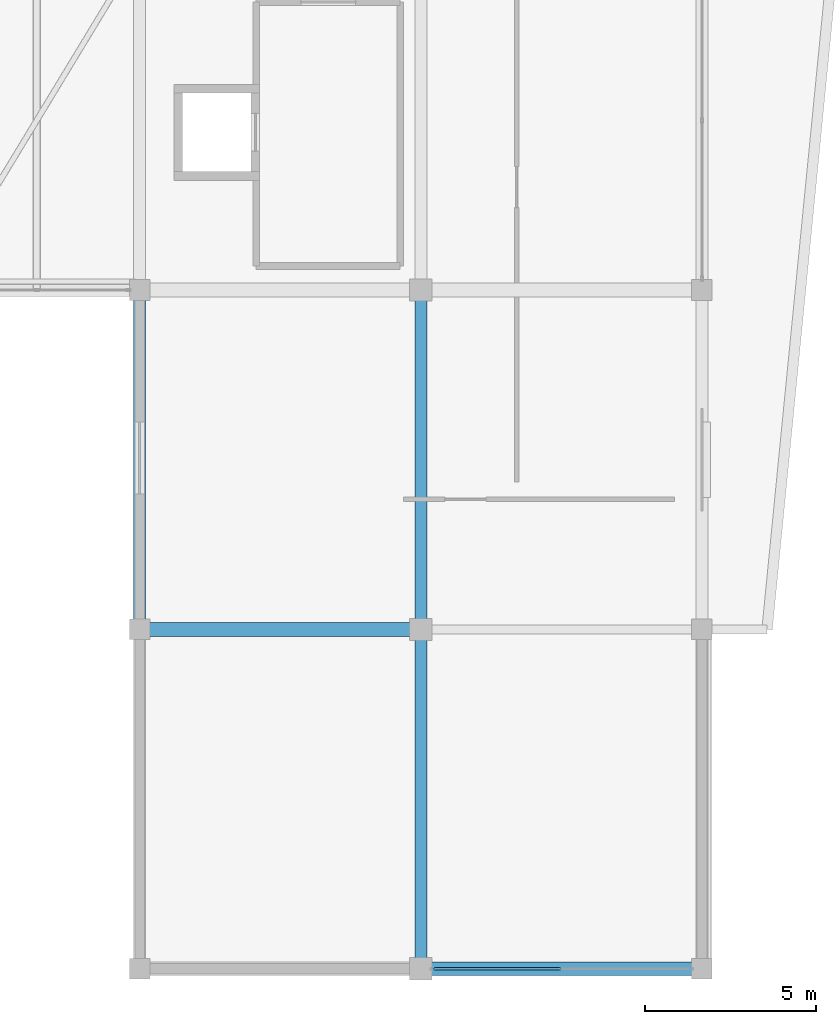
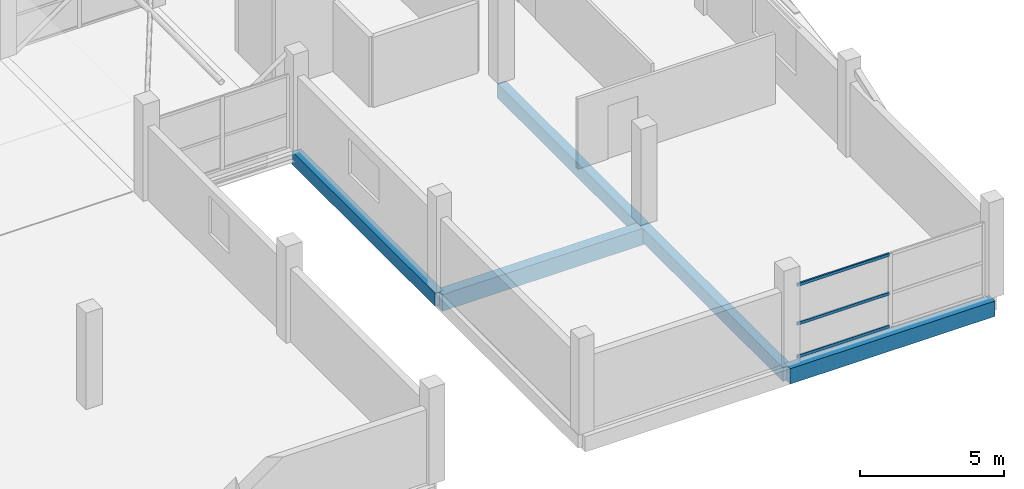
# One storey, part 13 of 66: 5 beams, 3 members, 1 element without a shape of its own.
"""IFC4 building model written with IfcOpenShell, lengths in metres."""

from ifc_helpers import new_model, si_unit, direction, frame, origin, origin_2d, place, context, subcontext, project, spatial, rectangle, hollow_rectangle, extrude, material, layer, layer_set, material_profile, profile_set, type_object, element, aggregate, save


model = new_model("IFC4")

# Units and contexts
model_context = context("Model", 3, precision=1e-05, world=origin(), true_north=direction((0.0, 1.0)))
body_context = subcontext(model_context, "Body", "Model", "MODEL_VIEW")
ifc_project = project(units=[si_unit("LENGTHUNIT", "METRE"), si_unit("AREAUNIT", "SQUARE_METRE"), si_unit("VOLUMEUNIT", "CUBIC_METRE"), si_unit("PLANEANGLEUNIT", "RADIAN"), si_unit("MASSUNIT", "GRAM", prefix="KILO")], contexts=[model_context])

# Site, building, storey
site_placement = place(None, origin())
site = spatial("IfcSite", under=ifc_project, at=site_placement, CompositionType="ELEMENT")
building_placement = place(site_placement, origin())
building = spatial("IfcBuilding", under=site, at=building_placement, Name="Sillaruma Civic Art Gallery", CompositionType="ELEMENT")
storey_placement = place(building_placement, frame((0.0, 0.0, 62.219970703125)))
storey = spatial("IfcBuildingStorey", under=building, at=storey_placement, Name="L12", CompositionType="ELEMENT", Elevation=62.219970703125)

# Beams
ifc_material_1 = material(Name="Concrete H35 (35 MPa)", Category="concrete")
ifc_material_profile_1 = material_profile(ifc_material_1, rectangle(XDim=0.35009765625, YDim=0.60009765625, at=origin_2d()), Name="RCB350x600")
ifc_profile_set_1 = profile_set([ifc_material_profile_1], Name="Concrete H35 (35 MPa)")
beam_type_1 = type_object("IfcBeamType", Name="BM-BEAM-RCB350x600", PredefinedType="BEAM", material=ifc_profile_set_1)
beam_1_placement = place(storey_placement, frame((106.199951171875, 19.800048828125, -0.530029296875), z_axis=(0.0, 1.0, 0.0), x_axis=(-1.0, 0.0, 0.0)))
element("IfcBeam", 1, at=beam_1_placement, inside=storey, type_object=beam_type_1, Name="Beam BM-06 (L11:M:3-4)", PredefinedType="BEAM", context=body_context, shape_type="SweptSolid", body=[
    extrude(rectangle(XDim=0.35009765625, YDim=0.60009765625, at=origin_2d()), origin(), (0.0, 0.0, 1.0), 9.89990234375),
])
beam_2_placement = place(storey_placement, frame((106.199951171875, 29.699951171875, -0.530029296875), z_axis=(0.0, 1.0, 0.0), x_axis=(-1.0, 0.0, 0.0)))
element("IfcBeam", 2, at=beam_2_placement, inside=storey, type_object=beam_type_1, Name="Beam BM-06 (L11:M:4-5)", PredefinedType="BEAM", context=body_context, shape_type="SweptSolid", body=[
    extrude(rectangle(XDim=0.35009765625, YDim=0.60009765625, at=origin_2d()), origin(), (0.0, 0.0, 1.0), 9.900146484375),
])
ifc_material_profile_2 = material_profile(ifc_material_1, rectangle(XDim=0.39990234375, YDim=0.699951171875, at=origin_2d()), Name="RCB400x700")
ifc_profile_set_2 = profile_set([ifc_material_profile_2], Name="Concrete H35 (35 MPa)")
beam_type_2 = type_object("IfcBeamType", Name="BM-BEAM-RCB400x700", PredefinedType="BEAM", material=ifc_profile_set_2)
beam_3_placement = place(storey_placement, frame((98.0, 29.699951171875, -0.580078125), z_axis=(1.0, 0.0, 0.0), x_axis=(0.0, 1.0, 0.0)))
element("IfcBeam", 3, at=beam_3_placement, inside=storey, type_object=beam_type_2, Name="Beam BM-04 (L11:4:L-M)", PredefinedType="BEAM", context=body_context, shape_type="SweptSolid", body=[
    extrude(rectangle(XDim=0.39990234375, YDim=0.699951171875, at=origin_2d()), origin(), (0.0, 0.0, 1.0), 8.199951171875),
])
ifc_material_profile_3 = material_profile(ifc_material_1, rectangle(XDim=0.35009765625, YDim=0.550048828125, at=origin_2d()), Name="RCB350x550")
ifc_profile_set_3 = profile_set([ifc_material_profile_3], Name="Concrete H35 (35 MPa)")
beam_type_3 = type_object("IfcBeamType", Name="BM-SPANDREL-RCB350x550", PredefinedType="SPANDREL", material=ifc_profile_set_3)
beam_4_placement = place(storey_placement, frame((98.0, 29.699951171875, -0.5048828125), z_axis=(0.0, 1.0, 0.0), x_axis=(-1.0, 0.0, 0.0)))
element("IfcBeam", 4, at=beam_4_placement, inside=storey, type_object=beam_type_3, Name="Beam BS-04 (L11:L:4-5)", PredefinedType="SPANDREL", context=body_context, shape_type="SweptSolid", body=[
    extrude(rectangle(XDim=0.35009765625, YDim=0.550048828125, at=origin_2d()), origin(), (0.0, 0.0, 1.0), 9.900146484375),
])
ifc_material_profile_4 = material_profile(ifc_material_1, rectangle(XDim=0.39990234375, YDim=0.64990234375, at=origin_2d()), Name="RCB400x650")
ifc_profile_set_4 = profile_set([ifc_material_profile_4], Name="Concrete H35 (35 MPa)")
beam_type_4 = type_object("IfcBeamType", Name="BM-SPANDREL-RCB400x650", PredefinedType="SPANDREL", material=ifc_profile_set_4)
beam_5_placement = place(storey_placement, frame((106.199951171875, 19.800048828125, -0.554931640625), z_axis=(1.0, 0.0, 0.0), x_axis=(0.0, 1.0, 0.0)))
element("IfcBeam", 5, at=beam_5_placement, inside=storey, type_object=beam_type_4, Name="Beam BS-02 (L11:3:M-N)", PredefinedType="SPANDREL", context=body_context, shape_type="SweptSolid", body=[
    extrude(rectangle(XDim=0.39990234375, YDim=0.64990234375, at=origin_2d()), origin(), (0.0, 0.0, 1.0), 8.199951171875),
])

# Curtain wall, members
ifc_material_2 = material(Name="Thermally Broken Extruded Aluminium 6063-T6", Category="aluminium")
ifc_layer = layer(ifc_material_2, 0.159912109375, Name="Thermally Broken Extruded Aluminium 6063-T6")
ifc_layer_set = layer_set([ifc_layer], Name="Thermally Broken Extruded Aluminium 6063-T6")
curtain_wall_type = type_object("IfcCurtainWallType", Name="CW-UNI-103", PredefinedType="NOTDEFINED", material=ifc_layer_set)
curtain_wall_placement = place(storey_placement, origin())
curtain_wall = element("IfcCurtainWall", 6, at=curtain_wall_placement, inside=storey, type_object=curtain_wall_type, Name="Unitised Curtain Wall CW-103 (CW-L12-EBS-2)", PredefinedType="NOTDEFINED")
ifc_material_profile_5 = material_profile(ifc_material_2, hollow_rectangle(XDim=0.06494140625, YDim=0.1201171875, WallThickness=0.00341796875, at=origin_2d()), Name="CWT65x120")
ifc_profile_set_5 = profile_set([ifc_material_profile_5], Name="Thermally Broken Extruded Aluminium 6063-T6")
member_type = type_object("IfcMemberType", Name="MEM-TRN-CWT65x120", PredefinedType="USERDEFINED", material=ifc_profile_set_5)
member_1_placement = place(storey_placement, frame((106.590087890625, 19.800048828125, 0.032470703125), z_axis=(1.0, 0.0, 0.0), x_axis=(0.0, 1.0, 0.0)))
member_1 = element("IfcMember", 7, at=member_1_placement, type_object=member_type, Name="CW-103 transom 1.1", ObjectType="TRANSOM", PredefinedType="USERDEFINED", context=body_context, shape_type="SweptSolid", body=[
    extrude(hollow_rectangle(XDim=0.06494140625, YDim=0.1201171875, WallThickness=0.00341796875, at=origin_2d()), origin(), (0.0, 0.0, 1.0), 3.68994140625),
])
member_2_placement = place(storey_placement, frame((106.590087890625, 19.800048828125, 1.426025390625), z_axis=(1.0, 0.0, 0.0), x_axis=(0.0, 1.0, 0.0)))
member_2 = element("IfcMember", 8, at=member_2_placement, type_object=member_type, Name="CW-103 transom 1.2", ObjectType="TRANSOM", PredefinedType="USERDEFINED", context=body_context, shape_type="SweptSolid", body=[
    extrude(hollow_rectangle(XDim=0.06494140625, YDim=0.1201171875, WallThickness=0.00341796875, at=origin_2d()), origin(), (0.0, 0.0, 1.0), 3.68994140625),
])
member_3_placement = place(storey_placement, frame((106.590087890625, 19.800048828125, 3.067626953125), z_axis=(1.0, 0.0, 0.0), x_axis=(0.0, 1.0, 0.0)))
member_3 = element("IfcMember", 9, at=member_3_placement, type_object=member_type, Name="CW-103 transom 1.3", ObjectType="TRANSOM", PredefinedType="USERDEFINED", context=body_context, shape_type="SweptSolid", body=[
    extrude(hollow_rectangle(XDim=0.06494140625, YDim=0.1201171875, WallThickness=0.00341796875, at=origin_2d()), origin(), (0.0, 0.0, 1.0), 3.68994140625),
])
aggregate(curtain_wall, [member_1, member_2, member_3])

save(model, "model.ifc")
